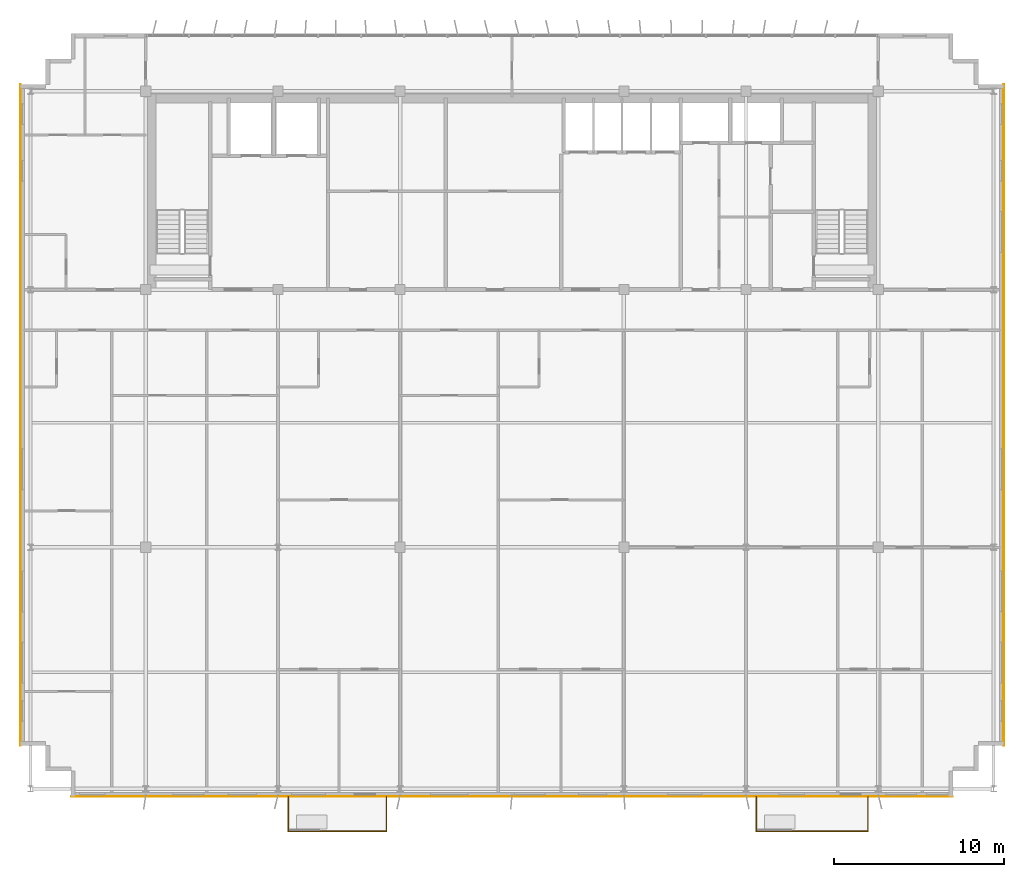
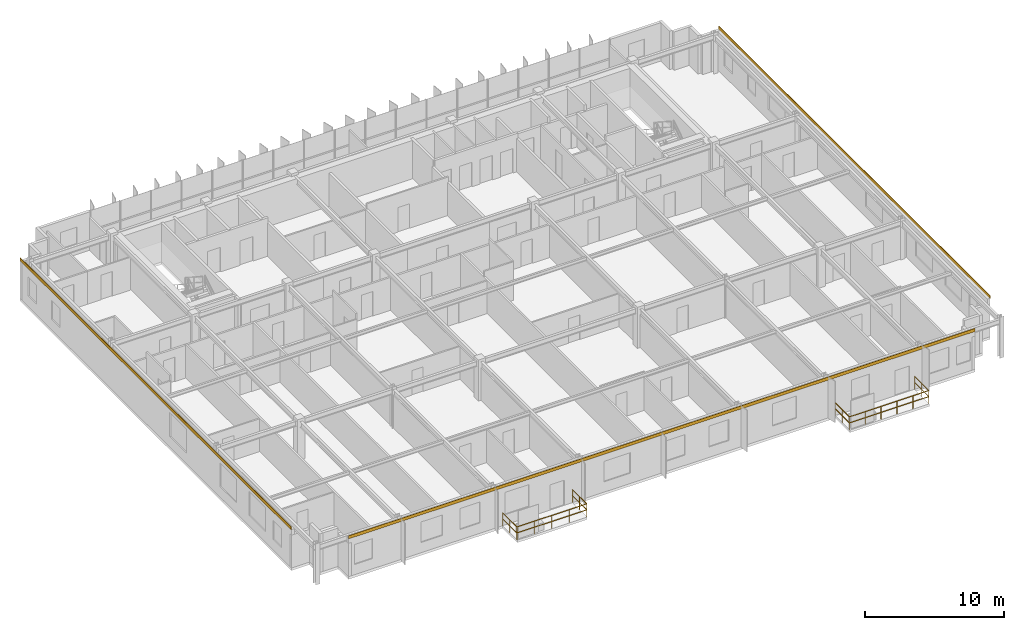
# One storey, part 22 of 23: 6 railings, 3 coverings.
"""IFC4 building model written with IfcOpenShell, lengths in metres."""

from ifc_helpers import new_model, si_unit, direction, frame, origin, origin_2d, place, context, subcontext, project, spatial, rectangle, extrude, source, transform, mapped, material, layer, layer_set, type_object, element, save


model = new_model("IFC4")

# Units and contexts
model_context = context("Model", 3, precision=1e-05, world=origin(), true_north=direction((0.0, 1.0)))
body_context = subcontext(model_context, "Body", "Model", "MODEL_VIEW")
ifc_project = project(units=[si_unit("LENGTHUNIT", "METRE"), si_unit("AREAUNIT", "SQUARE_METRE"), si_unit("VOLUMEUNIT", "CUBIC_METRE"), si_unit("PLANEANGLEUNIT", "RADIAN"), si_unit("MASSUNIT", "GRAM", prefix="KILO")], contexts=[model_context])

# Site, building, storey
site_placement = place(None, origin())
site = spatial("IfcSite", under=ifc_project, at=site_placement, CompositionType="ELEMENT")
building_placement = place(site_placement, origin())
building = spatial("IfcBuilding", under=site, at=building_placement, Name="Trelvane Seafront Commons", CompositionType="ELEMENT")
storey_placement = place(building_placement, frame((0.0, 0.0, 266.699951171875)))
storey = spatial("IfcBuildingStorey", under=building, at=storey_placement, Name="L69", CompositionType="ELEMENT", Elevation=266.699951171875)

# Railings
ifc_material_1 = material(Name="Stainless steel balustrade", Category="steel")
railing_type = type_object("IfcRailingType", Name="ARCH-RAIL-BAL1150", PredefinedType="BALUSTRADE", material=ifc_material_1)
railing_1_placement = place(storey_placement, frame((24.0, 3.5, 0.0)))
element("IfcRailing", 1, at=railing_1_placement, inside=storey, type_object=railing_type, Name="RL-L69-BAL0-01", PredefinedType="BALUSTRADE", context=body_context, shape_type="SweptSolid", body=[
    extrude(rectangle(XDim=0.048095703125, YDim=0.048095703125, at=origin_2d()), frame((0.0, 0.0, 1.1259765625), z_axis=(0.0, -1.0, 0.0), x_axis=(1.0, 0.0, 0.0)), (0.0, 0.0, 1.0), 2.0400390625),
    extrude(rectangle(XDim=0.048095703125, YDim=0.048095703125, at=origin_2d()), frame((0.0, 0.0, 0.597900390625), z_axis=(0.0, -1.0, 0.0), x_axis=(1.0, 0.0, 0.0)), (0.0, 0.0, 1.0), 2.0400390625),
    extrude(rectangle(XDim=0.0419921875, YDim=0.0419921875, at=origin_2d()), origin(), (0.0, 0.0, 1.0), 1.1259765625),
    extrude(rectangle(XDim=0.0419921875, YDim=0.0419921875, at=origin_2d()), frame((0.0, -1.02001953125, 0.0)), (0.0, 0.0, 1.0), 1.1259765625),
    extrude(rectangle(XDim=0.0419921875, YDim=0.0419921875, at=origin_2d()), frame((0.0, -2.0400390625, 0.0)), (0.0, 0.0, 1.0), 1.1259765625),
])
railing_2_placement = place(storey_placement, frame((24.0, 1.4599609375, 0.0)))
element("IfcRailing", 2, at=railing_2_placement, inside=storey, type_object=railing_type, Name="RL-L69-BAL0-02", PredefinedType="BALUSTRADE", context=body_context, shape_type="SweptSolid", body=[
    extrude(rectangle(XDim=0.048095703125, YDim=0.048095703125, at=origin_2d()), frame((0.0, 0.0, 1.1259765625), z_axis=(1.0, 0.0, 0.0), x_axis=(0.0, 1.0, 0.0)), (0.0, 0.0, 1.0), 5.800048828125),
    extrude(rectangle(XDim=0.048095703125, YDim=0.048095703125, at=origin_2d()), frame((0.0, 0.0, 0.597900390625), z_axis=(1.0, 0.0, 0.0), x_axis=(0.0, 1.0, 0.0)), (0.0, 0.0, 1.0), 5.800048828125),
    extrude(rectangle(XDim=0.0419921875, YDim=0.0419921875, at=origin_2d()), origin(), (0.0, 0.0, 1.0), 1.1259765625),
    extrude(rectangle(XDim=0.0419921875, YDim=0.0419921875, at=origin_2d()), frame((1.449951171875, 0.0, 0.0)), (0.0, 0.0, 1.0), 1.1259765625),
    extrude(rectangle(XDim=0.0419921875, YDim=0.0419921875, at=origin_2d()), frame((2.89990234375, 0.0, 0.0)), (0.0, 0.0, 1.0), 1.1259765625),
    extrude(rectangle(XDim=0.0419921875, YDim=0.0419921875, at=origin_2d()), frame((4.35009765625, 0.0, 0.0)), (0.0, 0.0, 1.0), 1.1259765625),
    extrude(rectangle(XDim=0.0419921875, YDim=0.0419921875, at=origin_2d()), frame((5.800048828125, 0.0, 0.0)), (0.0, 0.0, 1.0), 1.1259765625),
])
railing_3_placement = place(storey_placement, frame((29.800048828125, 1.4599609375, 0.0)))
element("IfcRailing", 3, at=railing_3_placement, inside=storey, type_object=railing_type, Name="RL-L69-BAL0-03", PredefinedType="BALUSTRADE", context=body_context, shape_type="SweptSolid", body=[
    extrude(rectangle(XDim=0.048095703125, YDim=0.048095703125, at=origin_2d()), frame((0.0, 0.0, 1.1259765625), z_axis=(0.0, 1.0, 0.0), x_axis=(-1.0, 0.0, 0.0)), (0.0, 0.0, 1.0), 2.0400390625),
    extrude(rectangle(XDim=0.048095703125, YDim=0.048095703125, at=origin_2d()), frame((0.0, 0.0, 0.597900390625), z_axis=(0.0, 1.0, 0.0), x_axis=(-1.0, 0.0, 0.0)), (0.0, 0.0, 1.0), 2.0400390625),
    extrude(rectangle(XDim=0.0419921875, YDim=0.0419921875, at=origin_2d()), origin(), (0.0, 0.0, 1.0), 1.1259765625),
    extrude(rectangle(XDim=0.0419921875, YDim=0.0419921875, at=origin_2d()), frame((0.0, 1.02001953125, 0.0)), (0.0, 0.0, 1.0), 1.1259765625),
    extrude(rectangle(XDim=0.0419921875, YDim=0.0419921875, at=origin_2d()), frame((0.0, 2.0400390625, 0.0)), (0.0, 0.0, 1.0), 1.1259765625),
])
railing_4_placement = place(storey_placement, frame((51.60009765625, 3.5, 0.0)))
element("IfcRailing", 4, at=railing_4_placement, inside=storey, type_object=railing_type, Name="RL-L69-BAL1-01", PredefinedType="BALUSTRADE", context=body_context, shape_type="SweptSolid", body=[
    extrude(rectangle(XDim=0.048095703125, YDim=0.048095703125, at=origin_2d()), frame((0.0, 0.0, 1.1259765625), z_axis=(0.0, -1.0, 0.0), x_axis=(1.0, 0.0, 0.0)), (0.0, 0.0, 1.0), 2.0400390625),
    extrude(rectangle(XDim=0.048095703125, YDim=0.048095703125, at=origin_2d()), frame((0.0, 0.0, 0.597900390625), z_axis=(0.0, -1.0, 0.0), x_axis=(1.0, 0.0, 0.0)), (0.0, 0.0, 1.0), 2.0400390625),
    extrude(rectangle(XDim=0.0419921875, YDim=0.0419921875, at=origin_2d()), origin(), (0.0, 0.0, 1.0), 1.1259765625),
    extrude(rectangle(XDim=0.0419921875, YDim=0.0419921875, at=origin_2d()), frame((0.0, -1.02001953125, 0.0)), (0.0, 0.0, 1.0), 1.1259765625),
    extrude(rectangle(XDim=0.0419921875, YDim=0.0419921875, at=origin_2d()), frame((0.0, -2.0400390625, 0.0)), (0.0, 0.0, 1.0), 1.1259765625),
])
railing_5_placement = place(storey_placement, frame((51.60009765625, 1.4599609375, 0.0)))
element("IfcRailing", 5, at=railing_5_placement, inside=storey, type_object=railing_type, Name="RL-L69-BAL1-02", PredefinedType="BALUSTRADE", context=body_context, shape_type="SweptSolid", body=[
    extrude(rectangle(XDim=0.048095703125, YDim=0.048095703125, at=origin_2d()), frame((0.0, 0.0, 1.1259765625), z_axis=(1.0, 0.0, 0.0), x_axis=(0.0, 1.0, 0.0)), (0.0, 0.0, 1.0), 6.599853515625),
    extrude(rectangle(XDim=0.048095703125, YDim=0.048095703125, at=origin_2d()), frame((0.0, 0.0, 0.597900390625), z_axis=(1.0, 0.0, 0.0), x_axis=(0.0, 1.0, 0.0)), (0.0, 0.0, 1.0), 6.599853515625),
    extrude(rectangle(XDim=0.0419921875, YDim=0.0419921875, at=origin_2d()), origin(), (0.0, 0.0, 1.0), 1.1259765625),
    extrude(rectangle(XDim=0.0419921875, YDim=0.0419921875, at=origin_2d()), frame((1.320068359375, 0.0, 0.0)), (0.0, 0.0, 1.0), 1.1259765625),
    extrude(rectangle(XDim=0.0419921875, YDim=0.0419921875, at=origin_2d()), frame((2.639892578125, 0.0, 0.0)), (0.0, 0.0, 1.0), 1.1259765625),
    extrude(rectangle(XDim=0.0419921875, YDim=0.0419921875, at=origin_2d()), frame((3.9599609375, 0.0, 0.0)), (0.0, 0.0, 1.0), 1.1259765625),
    extrude(rectangle(XDim=0.0419921875, YDim=0.0419921875, at=origin_2d()), frame((5.27978515625, 0.0, 0.0)), (0.0, 0.0, 1.0), 1.1259765625),
    extrude(rectangle(XDim=0.0419921875, YDim=0.0419921875, at=origin_2d()), frame((6.599853515625, 0.0, 0.0)), (0.0, 0.0, 1.0), 1.1259765625),
])
railing_6_placement = place(storey_placement, frame((58.199951171875, 1.4599609375, 0.0)))
element("IfcRailing", 6, at=railing_6_placement, inside=storey, type_object=railing_type, Name="RL-L69-BAL1-03", PredefinedType="BALUSTRADE", context=body_context, shape_type="SweptSolid", body=[
    extrude(rectangle(XDim=0.048095703125, YDim=0.048095703125, at=origin_2d()), frame((0.0, 0.0, 1.1259765625), z_axis=(0.0, 1.0, 0.0), x_axis=(-1.0, 0.0, 0.0)), (0.0, 0.0, 1.0), 2.0400390625),
    extrude(rectangle(XDim=0.048095703125, YDim=0.048095703125, at=origin_2d()), frame((0.0, 0.0, 0.597900390625), z_axis=(0.0, 1.0, 0.0), x_axis=(-1.0, 0.0, 0.0)), (0.0, 0.0, 1.0), 2.0400390625),
    extrude(rectangle(XDim=0.0419921875, YDim=0.0419921875, at=origin_2d()), origin(), (0.0, 0.0, 1.0), 1.1259765625),
    extrude(rectangle(XDim=0.0419921875, YDim=0.0419921875, at=origin_2d()), frame((0.0, 1.02001953125, 0.0)), (0.0, 0.0, 1.0), 1.1259765625),
    extrude(rectangle(XDim=0.0419921875, YDim=0.0419921875, at=origin_2d()), frame((0.0, 2.0400390625, 0.0)), (0.0, 0.0, 1.0), 1.1259765625),
])

# Coverings
ifc_material_2 = material(Name="Anodised pale-silver aluminium", Category="aluminium")
ifc_layer = layer(ifc_material_2, 0.034912109375, Name="ARCH-COV-CLAD35")
ifc_layer_set = layer_set([ifc_layer], Name="Anodised pale-silver aluminium")
covering_type = type_object("IfcCoveringType", Name="ARCH-COV-CLAD35", PredefinedType="CLADDING", material=ifc_layer_set)
shared_shape_1 = source(origin(), body_context, "Body", "SweptSolid", [
    extrude(rectangle(XDim=39.0, YDim=0.034912109375, at=origin_2d()), origin(), (0.0, 0.0, 1.0), 0.27001953125),
])
for number, where, z_axis, x_axis, name in (
    (7, (8.199951171875, 26.0, 3.330078125), (0.0, 0.0, 1.0), (0.0, 1.0, 0.0), "CLD-L69-00278"),
    (8, (66.199951171875, 26.0, 3.330078125), (0.0, 0.0, 1.0), (0.0, -1.0, 0.0), "CLD-L69-00279"),
):
    element("IfcCovering", number, at=place(storey_placement, frame(where, z_axis=z_axis, x_axis=x_axis)), inside=storey, type_object=covering_type, Name=name, PredefinedType="CLADDING", context=body_context, shape_type="MappedRepresentation", body=[
        mapped(shared_shape_1, transform((0.0, 0.0, 0.0), x_axis=(1.0, 0.0, 0.0), y_axis=(0.0, 1.0, 0.0), z_axis=(0.0, 0.0, 1.0), scale=1.0)),
    ])
shared_shape_2 = source(origin(), body_context, "Body", "SweptSolid", [
    extrude(rectangle(XDim=52.0, YDim=0.034912109375, at=origin_2d()), origin(), (0.0, 0.0, 1.0), 0.27001953125),
])
covering_placement = place(storey_placement, frame((37.199951171875, 3.5, 3.330078125), z_axis=(0.0, 0.0, 1.0), x_axis=(-1.0, 0.0, 0.0)))
element("IfcCovering", 9, at=covering_placement, inside=storey, type_object=covering_type, Name="CLD-L69-00280", PredefinedType="CLADDING", context=body_context, shape_type="MappedRepresentation", body=[
    mapped(shared_shape_2, transform((0.0, 0.0, 0.0), x_axis=(1.0, 0.0, 0.0), y_axis=(0.0, 1.0, 0.0), z_axis=(0.0, 0.0, 1.0), scale=1.0)),
])

save(model, "model.ifc")
